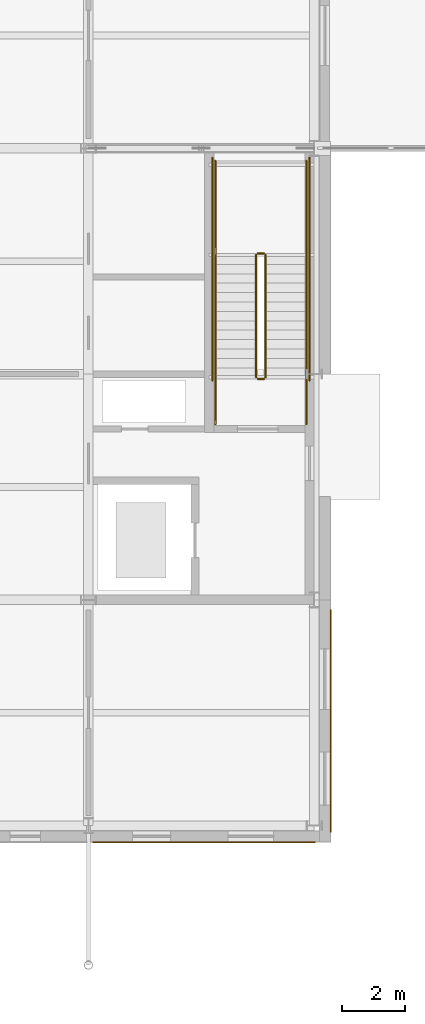
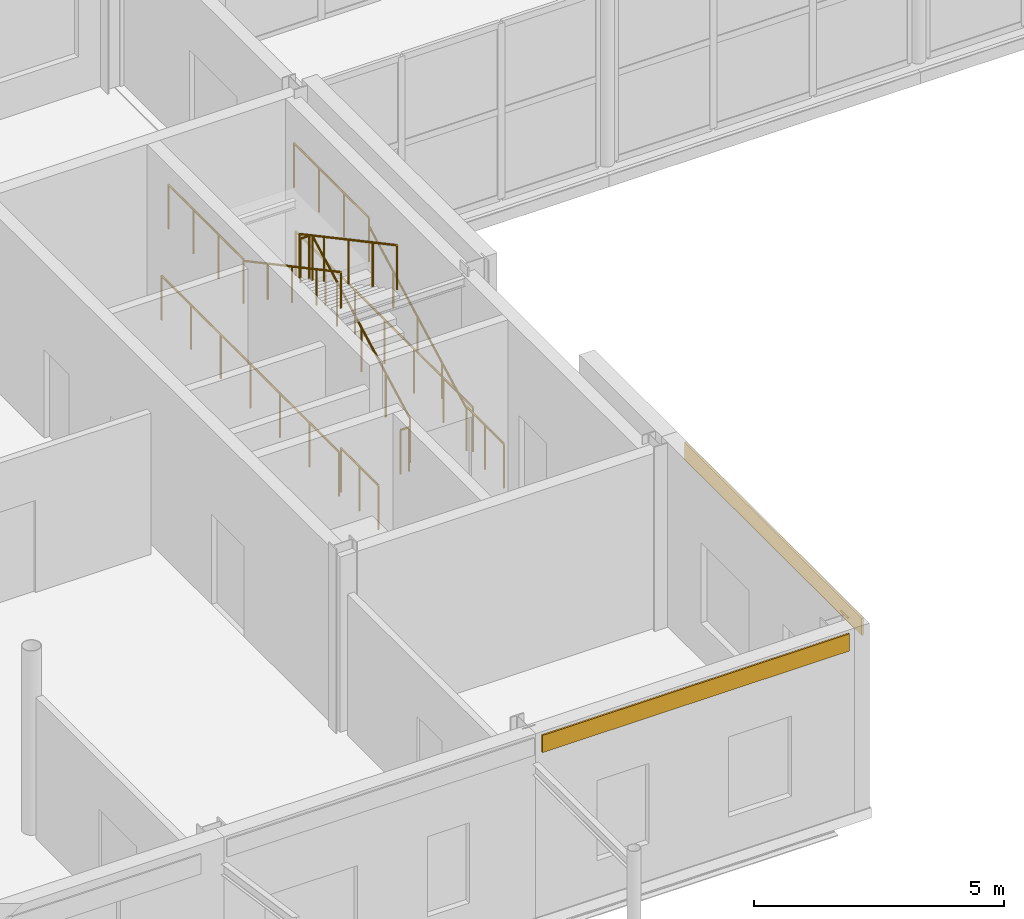
# One storey, part 78 of 92: 12 railings, 2 coverings.
"""IFC4 building model written with IfcOpenShell, lengths in metres."""

from ifc_helpers import new_model, si_unit, direction, frame, origin, origin_2d, place, context, subcontext, project, spatial, rectangle, circle, extrude, material, layer, layer_set, type_object, element, save


model = new_model("IFC4")

# Units and contexts
model_context = context("Model", 3, precision=1e-05, world=origin(), true_north=direction((0.0, 1.0)))
body_context = subcontext(model_context, "Body", "Model", "MODEL_VIEW")
ifc_project = project(units=[si_unit("LENGTHUNIT", "METRE"), si_unit("AREAUNIT", "SQUARE_METRE"), si_unit("VOLUMEUNIT", "CUBIC_METRE"), si_unit("PLANEANGLEUNIT", "RADIAN"), si_unit("MASSUNIT", "GRAM", prefix="KILO")], contexts=[model_context])

# Site, building, storey
site_placement = place(None, origin())
site = spatial("IfcSite", under=ifc_project, at=site_placement, CompositionType="ELEMENT")
building_placement = place(site_placement, origin())
building = spatial("IfcBuilding", under=site, at=building_placement, Name="Zlatovets Crest Museum", CompositionType="ELEMENT")
storey_placement = place(building_placement, origin())
storey = spatial("IfcBuildingStorey", under=building, at=storey_placement, Name="L00", CompositionType="ELEMENT", Elevation=0.0)

# Coverings
ifc_material_1 = material(Name="Polychrome turquoise-gold glazed majolica ceramic frieze")
ifc_layer = layer(ifc_material_1, 0.0400390625)
ifc_layer_set = layer_set([ifc_layer], Name="Polychrome turquoise-gold glazed majolica ceramic frieze")
covering_type = type_object("IfcCoveringType", Name="MajolicaFrieze_CL01", PredefinedType="CLADDING", material=ifc_layer_set)
for number, where, z_axis, x_axis, name in (
    (1, (104.482421875, -0.530029296875, 4.010009765625), (0.0, 0.0, 1.0), (1.0, 0.0, 0.0), "Sofia Secession Majolica Plinth Frieze"),
    (2, (108.530029296875, 3.342529296875, 4.010009765625), (0.0, 0.0, 1.0), (0.0, 1.0, 0.0), "Sofia Secession Majolica Plinth Frieze"),
):
    element("IfcCovering", number, at=place(storey_placement, frame(where, z_axis=z_axis, x_axis=x_axis)), inside=storey, type_object=covering_type, Name=name, PredefinedType="CLADDING", context=body_context, shape_type="SweptSolid", body=[
        extrude(rectangle(XDim=7.10009765625, YDim=0.0400390625, at=origin_2d()), origin(), (0.0, 0.0, 1.0), 0.419921875),
    ])

# Railings
ifc_material_2 = material(Name="Painted steel safety guardrail", Category="steel")
railing_type_1 = type_object("IfcRailingType", Name="StairGuard_SG01", PredefinedType="GUARDRAIL", material=ifc_material_2)
railing_1_placement = place(storey_placement, frame((106.449951171875, 14.300048828125, 0.16064453125)))
element("IfcRailing", 3, at=railing_1_placement, inside=storey, type_object=railing_type_1, Name="L00 ST9 stair guard 1", PredefinedType="GUARDRAIL", context=body_context, shape_type="SweptSolid", body=[
    extrude(circle(Radius=0.02392578125, at=origin_2d()), frame((0.0, 0.0, 1.076171875), z_axis=(0.0, 0.881468485026, 0.472242850561), x_axis=(-1.0, 0.0, 0.0)), (0.0, 0.0, 1.0), 4.42431640625),
    extrude(circle(Radius=0.02099609375, at=origin_2d()), origin(), (0.0, 0.0, 1.0), 1.052001953125),
    extrude(circle(Radius=0.02099609375, at=origin_2d()), frame((0.0, 0.97509765625, 0.5224609375)), (0.0, 0.0, 1.0), 1.052001953125),
    extrude(circle(Radius=0.02099609375, at=origin_2d()), frame((0.0, 1.949951171875, 1.044677734375)), (0.0, 0.0, 1.0), 1.052001953125),
    extrude(circle(Radius=0.02099609375, at=origin_2d()), frame((0.0, 2.9248046875, 1.56689453125)), (0.0, 0.0, 1.0), 1.052001953125),
    extrude(circle(Radius=0.02099609375, at=origin_2d()), frame((0.0, 3.89990234375, 2.08935546875)), (0.0, 0.0, 1.0), 1.052001953125),
])
railing_2_placement = place(storey_placement, frame((106.39990234375, 18.25, 2.25)))
element("IfcRailing", 4, at=railing_2_placement, inside=storey, type_object=railing_type_1, Name="L00 ST9 stair guard 2", PredefinedType="GUARDRAIL", context=body_context, shape_type="SweptSolid", body=[
    extrude(circle(Radius=0.02392578125, at=origin_2d()), frame((0.0, 0.0, 1.076171875), z_axis=(-1.0, 0.0, 0.0), x_axis=(0.0, -1.0, 0.0)), (0.0, 0.0, 1.0), 0.199951171875),
    extrude(circle(Radius=0.02099609375, at=origin_2d()), origin(), (0.0, 0.0, 1.0), 1.052001953125),
    extrude(circle(Radius=0.02099609375, at=origin_2d()), frame((-0.199951171875, 0.0, 0.0)), (0.0, 0.0, 1.0), 1.052001953125),
])
for number, where, name in (
    (5, (107.75, 18.199951171875, 2.25), "L00 ST9 stair guard 3"),
    (6, (104.85009765625, 18.199951171875, 2.25), "L00 ST9 stair guard 4"),
):
    element("IfcRailing", number, at=place(storey_placement, frame(where)), inside=storey, type_object=railing_type_1, Name=name, PredefinedType="GUARDRAIL", context=body_context, shape_type="SweptSolid", body=[
        extrude(circle(Radius=0.02392578125, at=origin_2d()), frame((0.0, 0.0, 1.076171875), z_axis=(0.0, 1.0, 0.0), x_axis=(-1.0, 0.0, 0.0)), (0.0, 0.0, 1.0), 3.0),
        extrude(circle(Radius=0.02099609375, at=origin_2d()), origin(), (0.0, 0.0, 1.0), 1.052001953125),
        extrude(circle(Radius=0.02099609375, at=origin_2d()), frame((0.0, 1.0, 0.0)), (0.0, 0.0, 1.0), 1.052001953125),
        extrude(circle(Radius=0.02099609375, at=origin_2d()), frame((0.0, 2.0, 0.0)), (0.0, 0.0, 1.0), 1.052001953125),
        extrude(circle(Radius=0.02099609375, at=origin_2d()), frame((0.0, 3.0, 0.0)), (0.0, 0.0, 1.0), 1.052001953125),
    ])
railing_3_placement = place(storey_placement, frame((106.14990234375, 18.199951171875, 2.41064453125)))
element("IfcRailing", 7, at=railing_3_placement, inside=storey, type_object=railing_type_1, Name="L00 ST9 stair guard 5", PredefinedType="GUARDRAIL", context=body_context, shape_type="SweptSolid", body=[
    extrude(circle(Radius=0.02392578125, at=origin_2d()), frame((0.0, 0.0, 1.076171875), z_axis=(0.0, -0.881468485026, 0.472242850561), x_axis=(1.0, 0.0, 0.0)), (0.0, 0.0, 1.0), 4.42431640625),
    extrude(circle(Radius=0.02099609375, at=origin_2d()), origin(), (0.0, 0.0, 1.0), 1.052001953125),
    extrude(circle(Radius=0.02099609375, at=origin_2d()), frame((0.0, -0.97509765625, 0.5224609375)), (0.0, 0.0, 1.0), 1.052001953125),
    extrude(circle(Radius=0.02099609375, at=origin_2d()), frame((0.0, -1.949951171875, 1.044677734375)), (0.0, 0.0, 1.0), 1.052001953125),
    extrude(circle(Radius=0.02099609375, at=origin_2d()), frame((0.0, -2.9248046875, 1.56689453125)), (0.0, 0.0, 1.0), 1.052001953125),
    extrude(circle(Radius=0.02099609375, at=origin_2d()), frame((0.0, -3.89990234375, 2.08935546875)), (0.0, 0.0, 1.0), 1.052001953125),
])
railing_4_placement = place(storey_placement, frame((106.39990234375, 14.25, 0.0)))
element("IfcRailing", 8, at=railing_4_placement, inside=storey, type_object=railing_type_1, Name="L00 ST9 stair guard 6", PredefinedType="GUARDRAIL", context=body_context, shape_type="SweptSolid", body=[
    extrude(circle(Radius=0.02392578125, at=origin_2d()), frame((0.0, 0.0, 1.076171875), z_axis=(-1.0, 0.0, 0.0), x_axis=(0.0, -1.0, 0.0)), (0.0, 0.0, 1.0), 0.199951171875),
    extrude(circle(Radius=0.02099609375, at=origin_2d()), origin(), (0.0, 0.0, 1.0), 1.052001953125),
    extrude(circle(Radius=0.02099609375, at=origin_2d()), frame((-0.199951171875, 0.0, 0.0)), (0.0, 0.0, 1.0), 1.052001953125),
])
for number, where, name in (
    (9, (107.75, 12.800048828125, 0.0), "L00 ST9 stair guard 7"),
    (10, (104.85009765625, 12.800048828125, 0.0), "L00 ST9 stair guard 8"),
):
    element("IfcRailing", number, at=place(storey_placement, frame(where)), inside=storey, type_object=railing_type_1, Name=name, PredefinedType="GUARDRAIL", context=body_context, shape_type="SweptSolid", body=[
        extrude(circle(Radius=0.02392578125, at=origin_2d()), frame((0.0, 0.0, 1.076171875), z_axis=(0.0, 1.0, 0.0), x_axis=(-1.0, 0.0, 0.0)), (0.0, 0.0, 1.0), 1.5),
        extrude(circle(Radius=0.02099609375, at=origin_2d()), origin(), (0.0, 0.0, 1.0), 1.052001953125),
        extrude(circle(Radius=0.02099609375, at=origin_2d()), frame((0.0, 0.75, 0.0)), (0.0, 0.0, 1.0), 1.052001953125),
        extrude(circle(Radius=0.02099609375, at=origin_2d()), frame((0.0, 1.5, 0.0)), (0.0, 0.0, 1.0), 1.052001953125),
    ])
for number, where, name in (
    (11, (107.85009765625, 14.199951171875, 0.0), "L00 ST9 stair guard 9"),
    (12, (104.75, 14.199951171875, 0.0), "L00 ST9 stair guard 10"),
):
    element("IfcRailing", number, at=place(storey_placement, frame(where)), inside=storey, type_object=railing_type_1, Name=name, PredefinedType="GUARDRAIL", context=body_context, shape_type="SweptSolid", body=[
        extrude(circle(Radius=0.02392578125, at=origin_2d()), frame((0.0, 0.0, 1.076171875), z_axis=(0.0, 1.0, 0.0), x_axis=(-1.0, 0.0, 0.0)), (0.0, 0.0, 1.0), 7.10009765625),
        extrude(circle(Radius=0.02099609375, at=origin_2d()), origin(), (0.0, 0.0, 1.0), 1.052001953125),
        extrude(circle(Radius=0.02099609375, at=origin_2d()), frame((0.0, 1.183349609375, 0.0)), (0.0, 0.0, 1.0), 1.052001953125),
        extrude(circle(Radius=0.02099609375, at=origin_2d()), frame((0.0, 2.36669921875, 0.0)), (0.0, 0.0, 1.0), 1.052001953125),
        extrude(circle(Radius=0.02099609375, at=origin_2d()), frame((0.0, 3.550048828125, 0.0)), (0.0, 0.0, 1.0), 1.052001953125),
        extrude(circle(Radius=0.02099609375, at=origin_2d()), frame((0.0, 4.7333984375, 0.0)), (0.0, 0.0, 1.0), 1.052001953125),
        extrude(circle(Radius=0.02099609375, at=origin_2d()), frame((0.0, 5.916748046875, 0.0)), (0.0, 0.0, 1.0), 1.052001953125),
        extrude(circle(Radius=0.02099609375, at=origin_2d()), frame((0.0, 7.10009765625, 0.0)), (0.0, 0.0, 1.0), 1.052001953125),
    ])
ifc_material_3 = material(Name="Brushed bronze stair handrail")
railing_type_2 = type_object("IfcRailingType", Name="StairHandrail_SH01", PredefinedType="HANDRAIL", material=ifc_material_3)
railing_5_placement = place(storey_placement, frame((107.75, 14.300048828125, 0.16064453125)))
element("IfcRailing", 13, at=railing_5_placement, inside=storey, type_object=railing_type_2, Name="L00 ST9 stair handrail 1", PredefinedType="HANDRAIL", context=body_context, shape_type="SweptSolid", body=[
    extrude(circle(Radius=0.02392578125, at=origin_2d()), frame((0.0, 0.0, 0.8759765625), z_axis=(0.0, 0.881468485026, 0.472242850561), x_axis=(-1.0, 0.0, 0.0)), (0.0, 0.0, 1.0), 4.42431640625),
    extrude(circle(Radius=0.02099609375, at=origin_2d()), origin(), (0.0, 0.0, 1.0), 0.851806640625),
    extrude(circle(Radius=0.02099609375, at=origin_2d()), frame((0.0, 0.97509765625, 0.5224609375)), (0.0, 0.0, 1.0), 0.851806640625),
    extrude(circle(Radius=0.02099609375, at=origin_2d()), frame((0.0, 1.949951171875, 1.044677734375)), (0.0, 0.0, 1.0), 0.851806640625),
    extrude(circle(Radius=0.02099609375, at=origin_2d()), frame((0.0, 2.9248046875, 1.56689453125)), (0.0, 0.0, 1.0), 0.851806640625),
    extrude(circle(Radius=0.02099609375, at=origin_2d()), frame((0.0, 3.89990234375, 2.08935546875)), (0.0, 0.0, 1.0), 0.851806640625),
])
railing_6_placement = place(storey_placement, frame((104.85009765625, 18.199951171875, 2.41064453125)))
element("IfcRailing", 14, at=railing_6_placement, inside=storey, type_object=railing_type_2, Name="L00 ST9 stair handrail 2", PredefinedType="HANDRAIL", context=body_context, shape_type="SweptSolid", body=[
    extrude(circle(Radius=0.02392578125, at=origin_2d()), frame((0.0, 0.0, 0.8759765625), z_axis=(0.0, -0.881468485026, 0.472242850561), x_axis=(1.0, 0.0, 0.0)), (0.0, 0.0, 1.0), 4.42431640625),
    extrude(circle(Radius=0.02099609375, at=origin_2d()), origin(), (0.0, 0.0, 1.0), 0.851806640625),
    extrude(circle(Radius=0.02099609375, at=origin_2d()), frame((0.0, -0.97509765625, 0.5224609375)), (0.0, 0.0, 1.0), 0.851806640625),
    extrude(circle(Radius=0.02099609375, at=origin_2d()), frame((0.0, -1.949951171875, 1.044677734375)), (0.0, 0.0, 1.0), 0.851806640625),
    extrude(circle(Radius=0.02099609375, at=origin_2d()), frame((0.0, -2.9248046875, 1.56689453125)), (0.0, 0.0, 1.0), 0.851806640625),
    extrude(circle(Radius=0.02099609375, at=origin_2d()), frame((0.0, -3.89990234375, 2.08935546875)), (0.0, 0.0, 1.0), 0.851806640625),
])

save(model, "model.ifc")
